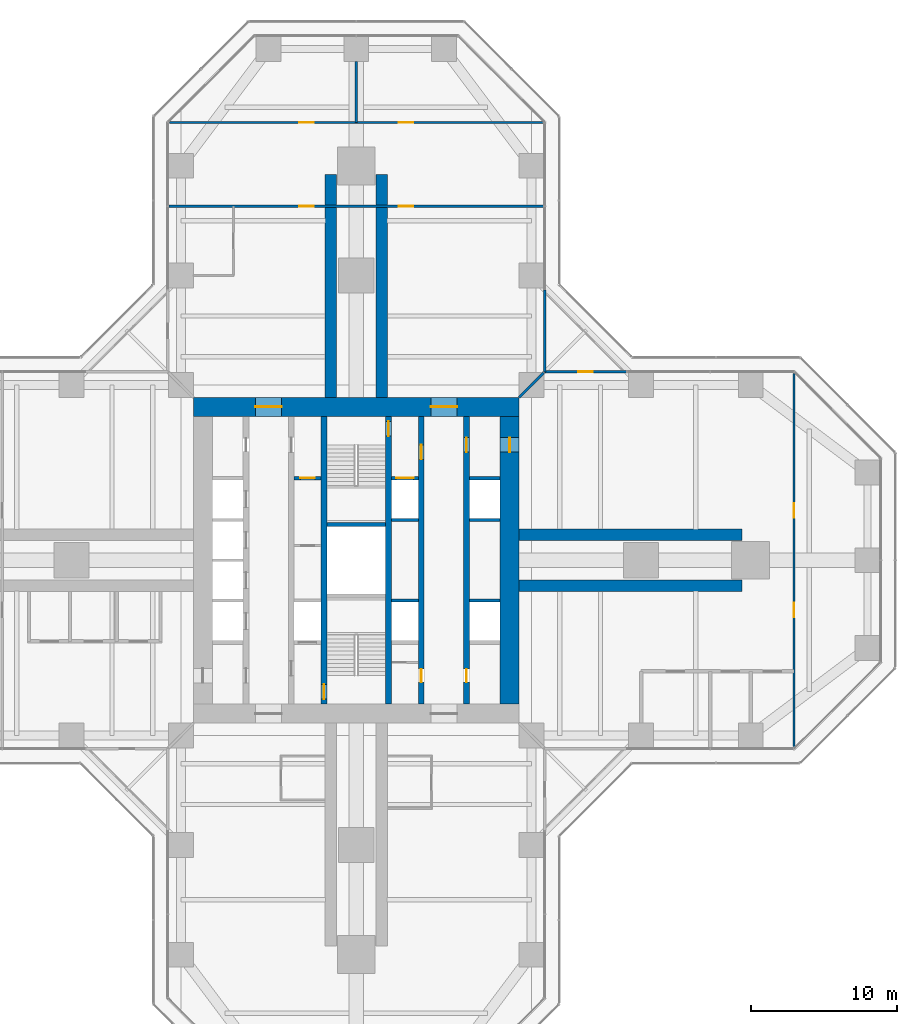
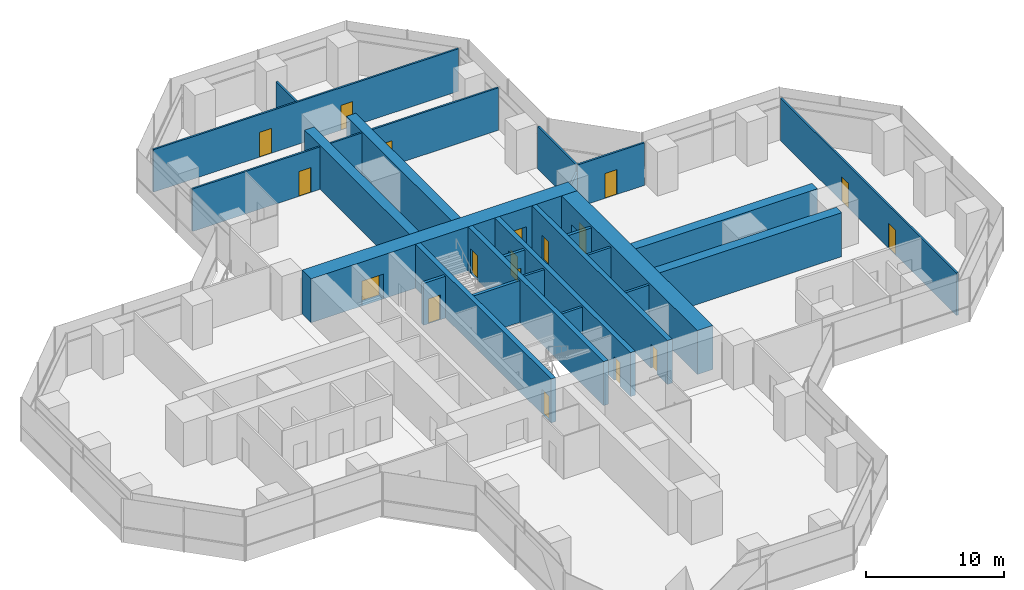
# One storey, part 19 of 22: 25 walls, 18 doors, 18 openings.
"""IFC4 building model written with IfcOpenShell, lengths in metres."""

from ifc_helpers import new_model, si_unit, direction, frame, frame_2d, origin, place, context, subcontext, project, spatial, rectangle, extrude, material, layer, layer_set, type_object, element, fill, save


model = new_model("IFC4")

# Units and contexts
model_context = context("Model", 3, precision=1e-05, world=origin(), true_north=direction((0.0, 1.0)))
body_context = subcontext(model_context, "Body", "Model", "MODEL_VIEW")
ifc_project = project(units=[si_unit("LENGTHUNIT", "METRE"), si_unit("AREAUNIT", "SQUARE_METRE"), si_unit("VOLUMEUNIT", "CUBIC_METRE"), si_unit("PLANEANGLEUNIT", "RADIAN"), si_unit("MASSUNIT", "GRAM", prefix="KILO")], contexts=[model_context])

# Site, building, storey
site_placement = place(None, origin())
site = spatial("IfcSite", under=ifc_project, at=site_placement, CompositionType="ELEMENT")
building_placement = place(site_placement, origin())
building = spatial("IfcBuilding", under=site, at=building_placement, Name="Mizan Broadcast Tower", CompositionType="ELEMENT")
storey_placement = place(building_placement, frame((0.0, 0.0, 43.5)))
storey = spatial("IfcBuildingStorey", under=building, at=storey_placement, Name="L07", CompositionType="ELEMENT", Elevation=43.5)

# Wall, openings, doors
ifc_material_1 = material(Name="Concrete C70/85", Category="concrete")
ifc_layer_1 = layer(ifc_material_1, 0.39990234375)
ifc_layer_set_1 = layer_set([ifc_layer_1], Name="Concrete C70/85")
wall_type_1 = type_object("IfcWallType", Name="CORE INTERNAL WALL 400", PredefinedType="SHEAR", material=ifc_layer_set_1)
wall_1_placement = place(storey_placement, frame((7.550048828125, 9.85009765625, 0.0), z_axis=(0.0, 0.0, 1.0), x_axis=(0.0, -1.0, 0.0)))
wall_1 = element("IfcWall", 1, at=wall_1_placement, inside=storey, type_object=wall_type_1, Name="Core wall CORE/XW1E", PredefinedType="SHEAR", context=body_context, shape_type="SweptSolid", body=[
    extrude(rectangle(XDim=19.7001953125, YDim=0.39990234375, at=frame_2d((9.85009765625, 0.0))), origin(), (0.0, 0.0, 1.0), 3.89990234375),
])
opening_1_placement = place(wall_1_placement, frame((1.449951171875, 0.0, 0.0)))
opening_1 = element("IfcOpeningElement", 2, at=opening_1_placement, cuts=wall_1, Name="Opening D10F", PredefinedType="OPENING", context=body_context, shape_type="SweptSolid", body=[
    extrude(rectangle(XDim=1.0, YDim=2.199951171875, at=frame_2d((0.5, 1.10009765625))), frame((0.0, 0.2099609375, 0.0), z_axis=(0.0, -1.0, 0.0), x_axis=(1.0, 0.0, 0.0)), (0.0, 0.0, 1.0), 0.419921875),
])
opening_2_placement = place(wall_1_placement, frame((17.300048828125, 0.0, 0.0)))
opening_2 = element("IfcOpeningElement", 3, at=opening_2_placement, cuts=wall_1, Name="Opening D09", PredefinedType="OPENING", context=body_context, shape_type="SweptSolid", body=[
    extrude(rectangle(XDim=0.89990234375, YDim=2.10009765625, at=frame_2d((0.449951171875, 1.050048828125))), frame((0.0, 0.2099609375, 0.0), z_axis=(0.0, -1.0, 0.0), x_axis=(1.0, 0.0, 0.0)), (0.0, 0.0, 1.0), 0.419921875),
])
ifc_material_2 = material(Name="Steel door leaf in steel frame", Category="steel")
door_type_1 = type_object("IfcDoorType", Name="FIRE DOOR 1000 FD90", OperationType="SINGLE_SWING_LEFT", PredefinedType="DOOR", material=ifc_material_2)
door_1_placement = place(opening_1_placement, origin())
door_1 = element("IfcDoor", 4, at=door_1_placement, inside=storey, type_object=door_type_1, Name="East core passage door", OperationType="SINGLE_SWING_LEFT", OverallHeight=2.199951171875, OverallWidth=1.0, PredefinedType="DOOR", context=body_context, shape_type="SweptSolid", body=[
    extrude(rectangle(XDim=1.0, YDim=2.199951171875, at=frame_2d((0.5, 1.10009765625))), frame((0.0, 0.02490234375, 0.0), z_axis=(0.0, -1.0, 0.0), x_axis=(1.0, 0.0, 0.0)), (0.0, 0.0, 1.0), 0.050048828125),
])
fill(opening_1, door_1)
ifc_material_3 = material(Name="Timber door leaf in aluminium frame", Category="wood")
door_type_2 = type_object("IfcDoorType", Name="TOILET DOOR 900", OperationType="SINGLE_SWING_LEFT", PredefinedType="DOOR", material=ifc_material_3)
door_2_placement = place(opening_2_placement, origin())
door_2 = element("IfcDoor", 5, at=door_2_placement, inside=storey, type_object=door_type_2, Name="Female WC door", OperationType="SINGLE_SWING_RIGHT", OverallHeight=2.10009765625, OverallWidth=0.89990234375, PredefinedType="DOOR", context=body_context, shape_type="SweptSolid", body=[
    extrude(rectangle(XDim=0.89990234375, YDim=2.10009765625, at=frame_2d((0.449951171875, 1.050048828125))), frame((0.0, 0.02490234375, 0.0), z_axis=(0.0, -1.0, 0.0), x_axis=(1.0, 0.0, 0.0)), (0.0, 0.0, 1.0), 0.050048828125),
])
fill(opening_2, door_2)

wall_2_placement = place(storey_placement, frame((4.449951171875, 9.85009765625, 0.0), z_axis=(0.0, 0.0, 1.0), x_axis=(0.0, -1.0, 0.0)))
wall_2 = element("IfcWall", 6, at=wall_2_placement, inside=storey, type_object=wall_type_1, Name="Core wall CORE/XWHE", PredefinedType="SHEAR", context=body_context, shape_type="SweptSolid", body=[
    extrude(rectangle(XDim=19.7001953125, YDim=0.39990234375, at=frame_2d((9.85009765625, 0.0))), origin(), (0.0, 0.0, 1.0), 3.89990234375),
])
opening_3_placement = place(wall_2_placement, frame((1.949951171875, 0.0, 0.0)))
opening_3 = element("IfcOpeningElement", 7, at=opening_3_placement, cuts=wall_2, Name="Opening D10F", PredefinedType="OPENING", context=body_context, shape_type="SweptSolid", body=[
    extrude(rectangle(XDim=1.0, YDim=2.199951171875, at=frame_2d((0.5, 1.10009765625))), frame((0.0, 0.2099609375, 0.0), z_axis=(0.0, -1.0, 0.0), x_axis=(1.0, 0.0, 0.0)), (0.0, 0.0, 1.0), 0.419921875),
])
opening_4_placement = place(wall_2_placement, frame((17.300048828125, 0.0, 0.0)))
opening_4 = element("IfcOpeningElement", 8, at=opening_4_placement, cuts=wall_2, Name="Opening D09", PredefinedType="OPENING", context=body_context, shape_type="SweptSolid", body=[
    extrude(rectangle(XDim=0.89990234375, YDim=2.10009765625, at=frame_2d((0.449951171875, 1.050048828125))), frame((0.0, 0.2099609375, 0.0), z_axis=(0.0, -1.0, 0.0), x_axis=(1.0, 0.0, 0.0)), (0.0, 0.0, 1.0), 0.419921875),
])
door_3_placement = place(opening_3_placement, origin())
door_3 = element("IfcDoor", 9, at=door_3_placement, inside=storey, type_object=door_type_1, Name="Firefighting lobby B door", OperationType="SINGLE_SWING_LEFT", OverallHeight=2.199951171875, OverallWidth=1.0, PredefinedType="DOOR", context=body_context, shape_type="SweptSolid", body=[
    extrude(rectangle(XDim=1.0, YDim=2.199951171875, at=frame_2d((0.5, 1.10009765625))), frame((0.0, 0.02490234375, 0.0), z_axis=(0.0, -1.0, 0.0), x_axis=(1.0, 0.0, 0.0)), (0.0, 0.0, 1.0), 0.050048828125),
])
fill(opening_3, door_3)
door_4_placement = place(opening_4_placement, origin())
door_4 = element("IfcDoor", 10, at=door_4_placement, inside=storey, type_object=door_type_2, Name="Cleaner's store door", OperationType="SINGLE_SWING_RIGHT", OverallHeight=2.10009765625, OverallWidth=0.89990234375, PredefinedType="DOOR", context=body_context, shape_type="SweptSolid", body=[
    extrude(rectangle(XDim=0.89990234375, YDim=2.10009765625, at=frame_2d((0.449951171875, 1.050048828125))), frame((0.0, 0.02490234375, 0.0), z_axis=(0.0, -1.0, 0.0), x_axis=(1.0, 0.0, 0.0)), (0.0, 0.0, 1.0), 0.050048828125),
])
fill(opening_4, door_4)

# Wall, opening, door
wall_3_placement = place(storey_placement, frame((-2.199951171875, -9.85009765625, 0.0), z_axis=(0.0, 0.0, 1.0), x_axis=(0.0, 1.0, 0.0)))
wall_3 = element("IfcWall", 11, at=wall_3_placement, inside=storey, type_object=wall_type_1, Name="Core wall CORE/XW2", PredefinedType="SHEAR", context=body_context, shape_type="SweptSolid", body=[
    extrude(rectangle(XDim=19.7001953125, YDim=0.39990234375, at=frame_2d((9.85009765625, 0.0))), origin(), (0.0, 0.0, 1.0), 3.89990234375),
])
opening_5_placement = place(wall_3_placement, frame((0.35009765625, 0.0, 0.0)))
opening_5 = element("IfcOpeningElement", 12, at=opening_5_placement, cuts=wall_3, Name="Opening D10S", PredefinedType="OPENING", context=body_context, shape_type="SweptSolid", body=[
    extrude(rectangle(XDim=1.0, YDim=2.199951171875, at=frame_2d((0.5, 1.10009765625))), frame((0.0, 0.2099609375, 0.0), z_axis=(0.0, -1.0, 0.0), x_axis=(1.0, 0.0, 0.0)), (0.0, 0.0, 1.0), 0.419921875),
])
ifc_material_4 = material(Name="Steel door leaf in steel frame", Category="steel")
door_type_3 = type_object("IfcDoorType", Name="STAIR DOOR 1000 FD90S", OperationType="SINGLE_SWING_RIGHT", PredefinedType="DOOR", material=ifc_material_4)
door_5_placement = place(opening_5_placement, origin())
door_5 = element("IfcDoor", 13, at=door_5_placement, inside=storey, type_object=door_type_3, Name="Stair A door", OperationType="SINGLE_SWING_RIGHT", OverallHeight=2.199951171875, OverallWidth=1.0, PredefinedType="DOOR", context=body_context, shape_type="SweptSolid", body=[
    extrude(rectangle(XDim=1.0, YDim=2.199951171875, at=frame_2d((0.5, 1.10009765625))), frame((0.0, 0.02490234375, 0.0), z_axis=(0.0, -1.0, 0.0), x_axis=(1.0, 0.0, 0.0)), (0.0, 0.0, 1.0), 0.050048828125),
])
fill(opening_5, door_5)

wall_4_placement = place(storey_placement, frame((2.199951171875, 9.85009765625, 0.0), z_axis=(0.0, 0.0, 1.0), x_axis=(0.0, -1.0, 0.0)))
wall_4 = element("IfcWall", 14, at=wall_4_placement, inside=storey, type_object=wall_type_1, Name="Core wall CORE/XW2E", PredefinedType="SHEAR", context=body_context, shape_type="SweptSolid", body=[
    extrude(rectangle(XDim=19.7001953125, YDim=0.39990234375, at=frame_2d((9.85009765625, 0.0))), origin(), (0.0, 0.0, 1.0), 3.89990234375),
])
opening_6_placement = place(wall_4_placement, frame((0.35009765625, 0.0, 0.0)))
opening_6 = element("IfcOpeningElement", 15, at=opening_6_placement, cuts=wall_4, Name="Opening D10S", PredefinedType="OPENING", context=body_context, shape_type="SweptSolid", body=[
    extrude(rectangle(XDim=1.0, YDim=2.199951171875, at=frame_2d((0.5, 1.10009765625))), frame((0.0, 0.2099609375, 0.0), z_axis=(0.0, -1.0, 0.0), x_axis=(1.0, 0.0, 0.0)), (0.0, 0.0, 1.0), 0.419921875),
])
door_6_placement = place(opening_6_placement, origin())
door_6 = element("IfcDoor", 16, at=door_6_placement, inside=storey, type_object=door_type_3, Name="Stair B door", OperationType="SINGLE_SWING_RIGHT", OverallHeight=2.199951171875, OverallWidth=1.0, PredefinedType="DOOR", context=body_context, shape_type="SweptSolid", body=[
    extrude(rectangle(XDim=1.0, YDim=2.199951171875, at=frame_2d((0.5, 1.10009765625))), frame((0.0, 0.02490234375, 0.0), z_axis=(0.0, -1.0, 0.0), x_axis=(1.0, 0.0, 0.0)), (0.0, 0.0, 1.0), 0.050048828125),
])
fill(opening_6, door_6)

# Wall, openings, doors
ifc_material_5 = material(Name="Concrete C70/85", Category="concrete")
ifc_layer_2 = layer(ifc_material_5, 1.300048828125)
ifc_layer_set_2 = layer_set([ifc_layer_2], Name="Concrete C70/85")
wall_type_2 = type_object("IfcWallType", Name="CORE WALL 1300", PredefinedType="SHEAR", material=ifc_layer_set_2)
wall_5_placement = place(storey_placement, frame((-11.14990234375, 10.5, 0.0), z_axis=(0.0, 0.0, 1.0), x_axis=(1.0, 0.0, 0.0)))
wall_5 = element("IfcWall", 17, at=wall_5_placement, inside=storey, type_object=wall_type_2, Name="Core wall N L07", PredefinedType="SHEAR", context=body_context, shape_type="SweptSolid", body=[
    extrude(rectangle(XDim=22.2998046875, YDim=1.300048828125, at=frame_2d((11.14990234375, 0.0))), origin(), (0.0, 0.0, 1.0), 3.89990234375),
])
opening_7_placement = place(wall_5_placement, frame((4.25, 0.0, 0.0)))
opening_7 = element("IfcOpeningElement", 18, at=opening_7_placement, cuts=wall_5, Name="Opening D18F", PredefinedType="OPENING", context=body_context, shape_type="SweptSolid", body=[
    extrude(rectangle(XDim=1.800048828125, YDim=2.199951171875, at=frame_2d((0.89990234375, 1.10009765625))), frame((0.0, 0.659912109375, 0.0), z_axis=(0.0, -1.0, 0.0), x_axis=(1.0, 0.0, 0.0)), (0.0, 0.0, 1.0), 1.320068359375),
])
opening_8_placement = place(wall_5_placement, frame((16.25, 0.0, 0.0)))
opening_8 = element("IfcOpeningElement", 19, at=opening_8_placement, cuts=wall_5, Name="Opening D18F", PredefinedType="OPENING", context=body_context, shape_type="SweptSolid", body=[
    extrude(rectangle(XDim=1.800048828125, YDim=2.199951171875, at=frame_2d((0.89990234375, 1.10009765625))), frame((0.0, 0.659912109375, 0.0), z_axis=(0.0, -1.0, 0.0), x_axis=(1.0, 0.0, 0.0)), (0.0, 0.0, 1.0), 1.320068359375),
])
ifc_material_6 = material(Name="Steel door leaf in steel frame", Category="steel")
door_type_4 = type_object("IfcDoorType", Name="LOBBY DOUBLE DOOR 1800 FD90", OperationType="DOUBLE_DOOR_DOUBLE_SWING", PredefinedType="DOOR", material=ifc_material_6)
door_7_placement = place(opening_7_placement, origin())
door_7 = element("IfcDoor", 20, at=door_7_placement, inside=storey, type_object=door_type_4, Name="West lift lobby north door", OperationType="DOUBLE_DOOR_DOUBLE_SWING", OverallHeight=2.199951171875, OverallWidth=1.800048828125, PredefinedType="DOOR", context=body_context, shape_type="SweptSolid", body=[
    extrude(rectangle(XDim=1.800048828125, YDim=2.199951171875, at=frame_2d((0.89990234375, 1.10009765625))), frame((0.0, 0.02490234375, 0.0), z_axis=(0.0, -1.0, 0.0), x_axis=(1.0, 0.0, 0.0)), (0.0, 0.0, 1.0), 0.050048828125),
])
fill(opening_7, door_7)
door_8_placement = place(opening_8_placement, origin())
door_8 = element("IfcDoor", 21, at=door_8_placement, inside=storey, type_object=door_type_4, Name="East lift lobby north door", OperationType="DOUBLE_DOOR_DOUBLE_SWING", OverallHeight=2.199951171875, OverallWidth=1.800048828125, PredefinedType="DOOR", context=body_context, shape_type="SweptSolid", body=[
    extrude(rectangle(XDim=1.800048828125, YDim=2.199951171875, at=frame_2d((0.89990234375, 1.10009765625))), frame((0.0, 0.02490234375, 0.0), z_axis=(0.0, -1.0, 0.0), x_axis=(1.0, 0.0, 0.0)), (0.0, 0.0, 1.0), 0.050048828125),
])
fill(opening_8, door_8)

# Wall, opening, door
wall_6_placement = place(storey_placement, frame((10.5, -9.85009765625, 0.0), z_axis=(0.0, 0.0, 1.0), x_axis=(0.0, 1.0, 0.0)))
wall_6 = element("IfcWall", 22, at=wall_6_placement, inside=storey, type_object=wall_type_2, Name="Core wall E L07", PredefinedType="SHEAR", context=body_context, shape_type="SweptSolid", body=[
    extrude(rectangle(XDim=19.7001953125, YDim=1.300048828125, at=frame_2d((9.85009765625, 0.0))), origin(), (0.0, 0.0, 1.0), 3.89990234375),
])
opening_9_placement = place(wall_6_placement, frame((17.25, 0.0, 0.0)))
opening_9 = element("IfcOpeningElement", 23, at=opening_9_placement, cuts=wall_6, Name="Opening D10F", PredefinedType="OPENING", context=body_context, shape_type="SweptSolid", body=[
    extrude(rectangle(XDim=1.0, YDim=2.199951171875, at=frame_2d((0.5, 1.10009765625))), frame((0.0, 0.659912109375, 0.0), z_axis=(0.0, -1.0, 0.0), x_axis=(1.0, 0.0, 0.0)), (0.0, 0.0, 1.0), 1.320068359375),
])
door_9_placement = place(opening_9_placement, origin())
door_9 = element("IfcDoor", 24, at=door_9_placement, inside=storey, type_object=door_type_1, Name="East core passage arm door", OperationType="SINGLE_SWING_RIGHT", OverallHeight=2.199951171875, OverallWidth=1.0, PredefinedType="DOOR", context=body_context, shape_type="SweptSolid", body=[
    extrude(rectangle(XDim=1.0, YDim=2.199951171875, at=frame_2d((0.5, 1.10009765625))), frame((0.0, 0.02490234375, 0.0), z_axis=(0.0, -1.0, 0.0), x_axis=(1.0, 0.0, 0.0)), (0.0, 0.0, 1.0), 0.050048828125),
])
fill(opening_9, door_9)

ifc_material_7 = material(Name="Aluminium framed glazed screen", Category="aluminium")
ifc_layer_3 = layer(ifc_material_7, 0.159912109375)
ifc_layer_set_3 = layer_set([ifc_layer_3], Name="Aluminium framed glazed screen")
wall_type_3 = type_object("IfcWallType", Name="GLAZED SCREEN WALL 160", PredefinedType="SOLIDWALL", material=ifc_layer_set_3)
wall_7_placement = place(storey_placement, frame((18.5, 12.89990234375, 0.0), z_axis=(0.0, 0.0, 1.0), x_axis=(-1.0, 0.0, 0.0)))
wall_7 = element("IfcWall", 25, at=wall_7_placement, inside=storey, type_object=wall_type_3, Name="Winter garden screen L07 E", PredefinedType="SOLIDWALL", context=body_context, shape_type="SweptSolid", body=[
    extrude(rectangle(XDim=5.60009765625, YDim=0.159912109375, at=frame_2d((2.800048828125, 0.0))), origin(), (0.0, 0.0, 1.0), 3.77001953125),
])
opening_10_placement = place(wall_7_placement, frame((2.300048828125, 0.0, 0.0)))
opening_10 = element("IfcOpeningElement", 26, at=opening_10_placement, cuts=wall_7, Name="Opening WGD", PredefinedType="OPENING", context=body_context, shape_type="SweptSolid", body=[
    extrude(rectangle(XDim=1.0, YDim=2.199951171875, at=frame_2d((0.5, 1.10009765625))), frame((0.0, 0.08984375, 0.0), z_axis=(0.0, -1.0, 0.0), x_axis=(1.0, 0.0, 0.0)), (0.0, 0.0, 1.0), 0.179931640625),
])
ifc_material_8 = material(Name="Aluminium framed glazed door", Category="aluminium")
door_type_5 = type_object("IfcDoorType", Name="WINTER GARDEN DOOR 1000 GLAZED", OperationType="SINGLE_SWING_LEFT", PredefinedType="DOOR", material=ifc_material_8)
door_10_placement = place(opening_10_placement, origin())
door_10 = element("IfcDoor", 27, at=door_10_placement, inside=storey, type_object=door_type_5, Name="Winter garden door L07 E", OperationType="SINGLE_SWING_RIGHT", OverallHeight=2.199951171875, OverallWidth=1.0, PredefinedType="DOOR", context=body_context, shape_type="SweptSolid", body=[
    extrude(rectangle(XDim=1.0, YDim=2.199951171875, at=frame_2d((0.5, 1.10009765625))), frame((0.0, 0.02490234375, 0.0), z_axis=(0.0, -1.0, 0.0), x_axis=(1.0, 0.0, 0.0)), (0.0, 0.0, 1.0), 0.050048828125),
])
fill(opening_10, door_10)

# Walls
wall_8_placement = place(storey_placement, frame((12.89990234375, 12.89990234375, 0.0), z_axis=(0.0, 0.0, 1.0), x_axis=(0.0, 1.0, 0.0)))
element("IfcWall", 28, at=wall_8_placement, inside=storey, type_object=wall_type_3, Name="Winter garden screen L07 N", PredefinedType="SOLIDWALL", context=body_context, shape_type="SweptSolid", body=[
    extrude(rectangle(XDim=5.60009765625, YDim=0.159912109375, at=frame_2d((2.800048828125, 0.0))), origin(), (0.0, 0.0, 1.0), 3.77001953125),
])
ifc_material_9 = material(Name="Concrete blockwork", Category="masonry")
ifc_layer_4 = layer(ifc_material_9, 0.199951171875)
ifc_layer_set_4 = layer_set([ifc_layer_4], Name="Concrete blockwork")
wall_type_4 = type_object("IfcWallType", Name="LIFT SHAFT WALL 200", PredefinedType="SOLIDWALL", material=ifc_layer_set_4)
wall_9_placement = place(storey_placement, frame((2.39990234375, -2.75, 0.0), z_axis=(0.0, 0.0, 1.0), x_axis=(1.0, 0.0, 0.0)))
element("IfcWall", 29, at=wall_9_placement, inside=storey, type_object=wall_type_4, Name="Lift shaft wall CORE/SE2-1", PredefinedType="SOLIDWALL", context=body_context, shape_type="SweptSolid", body=[
    extrude(rectangle(XDim=1.85009765625, YDim=0.199951171875, at=frame_2d((0.925048828125, 0.0))), origin(), (0.0, 0.0, 1.0), 3.699951171875),
])
wall_10_placement = place(storey_placement, frame((7.75, -2.75, 0.0), z_axis=(0.0, 0.0, 1.0), x_axis=(1.0, 0.0, 0.0)))
element("IfcWall", 30, at=wall_10_placement, inside=storey, type_object=wall_type_4, Name="Lift shaft wall CORE/SE1-1", PredefinedType="SOLIDWALL", context=body_context, shape_type="SweptSolid", body=[
    extrude(rectangle(XDim=2.10009765625, YDim=0.199951171875, at=frame_2d((1.050048828125, 0.0))), origin(), (0.0, 0.0, 1.0), 3.699951171875),
])
wall_11_placement = place(storey_placement, frame((2.39990234375, 2.75, 0.0), z_axis=(0.0, 0.0, 1.0), x_axis=(1.0, 0.0, 0.0)))
element("IfcWall", 31, at=wall_11_placement, inside=storey, type_object=wall_type_4, Name="Lift shaft wall CORE/SE2-3", PredefinedType="SOLIDWALL", context=body_context, shape_type="SweptSolid", body=[
    extrude(rectangle(XDim=1.85009765625, YDim=0.199951171875, at=frame_2d((0.925048828125, 0.0))), origin(), (0.0, 0.0, 1.0), 3.699951171875),
])
wall_12_placement = place(storey_placement, frame((7.75, 2.75, 0.0), z_axis=(0.0, 0.0, 1.0), x_axis=(1.0, 0.0, 0.0)))
element("IfcWall", 32, at=wall_12_placement, inside=storey, type_object=wall_type_4, Name="Lift shaft wall CORE/SE1-3", PredefinedType="SOLIDWALL", context=body_context, shape_type="SweptSolid", body=[
    extrude(rectangle(XDim=2.10009765625, YDim=0.199951171875, at=frame_2d((1.050048828125, 0.0))), origin(), (0.0, 0.0, 1.0), 3.699951171875),
])

# Wall, opening, door
ifc_material_10 = material(Name="Concrete blockwork", Category="masonry")
ifc_layer_5 = layer(ifc_material_10, 0.25)
ifc_layer_set_5 = layer_set([ifc_layer_5], Name="Concrete blockwork")
wall_type_5 = type_object("IfcWallType", Name="LOBBY ENCLOSURE WALL 250", PredefinedType="SOLIDWALL", material=ifc_layer_set_5)
wall_13_placement = place(storey_placement, frame((-4.25, 5.625, 0.0), z_axis=(0.0, 0.0, 1.0), x_axis=(1.0, 0.0, 0.0)))
wall_13 = element("IfcWall", 33, at=wall_13_placement, inside=storey, type_object=wall_type_5, Name="Lobby enclosure wall CORE/BW2N", PredefinedType="SOLIDWALL", context=body_context, shape_type="SweptSolid", body=[
    extrude(rectangle(XDim=1.85009765625, YDim=0.25, at=frame_2d((0.925048828125, 0.0))), origin(), (0.0, 0.0, 1.0), 3.699951171875),
])
opening_11_placement = place(wall_13_placement, frame((0.425048828125, 0.0, 0.0)))
opening_11 = element("IfcOpeningElement", 34, at=opening_11_placement, cuts=wall_13, Name="Opening D10F", PredefinedType="OPENING", context=body_context, shape_type="SweptSolid", body=[
    extrude(rectangle(XDim=1.0, YDim=2.199951171875, at=frame_2d((0.5, 1.10009765625))), frame((0.0, 0.135009765625, 0.0), z_axis=(0.0, -1.0, 0.0), x_axis=(1.0, 0.0, 0.0)), (0.0, 0.0, 1.0), 0.27001953125),
])
door_11_placement = place(opening_11_placement, origin())
door_11 = element("IfcDoor", 35, at=door_11_placement, inside=storey, type_object=door_type_1, Name="Accessible shower room door", OperationType="SINGLE_SWING_RIGHT", OverallHeight=2.199951171875, OverallWidth=1.0, PredefinedType="DOOR", context=body_context, shape_type="SweptSolid", body=[
    extrude(rectangle(XDim=1.0, YDim=2.199951171875, at=frame_2d((0.5, 1.10009765625))), frame((0.0, 0.02490234375, 0.0), z_axis=(0.0, -1.0, 0.0), x_axis=(1.0, 0.0, 0.0)), (0.0, 0.0, 1.0), 0.050048828125),
])
fill(opening_11, door_11)

wall_14_placement = place(storey_placement, frame((2.39990234375, 5.625, 0.0), z_axis=(0.0, 0.0, 1.0), x_axis=(1.0, 0.0, 0.0)))
wall_14 = element("IfcWall", 36, at=wall_14_placement, inside=storey, type_object=wall_type_5, Name="Lobby enclosure wall CORE/BE2N", PredefinedType="SOLIDWALL", context=body_context, shape_type="SweptSolid", body=[
    extrude(rectangle(XDim=1.85009765625, YDim=0.25, at=frame_2d((0.925048828125, 0.0))), origin(), (0.0, 0.0, 1.0), 3.699951171875),
])
opening_12_placement = place(wall_14_placement, frame((0.324951171875, 0.0, 0.0)))
opening_12 = element("IfcOpeningElement", 37, at=opening_12_placement, cuts=wall_14, Name="Opening LDF", PredefinedType="OPENING", context=body_context, shape_type="SweptSolid", body=[
    extrude(rectangle(XDim=1.199951171875, YDim=2.199951171875, at=frame_2d((0.60009765625, 1.10009765625))), frame((0.0, 0.135009765625, 0.0), z_axis=(0.0, -1.0, 0.0), x_axis=(1.0, 0.0, 0.0)), (0.0, 0.0, 1.0), 0.27001953125),
])
ifc_material_11 = material(Name="Steel door leaf in steel frame", Category="steel")
door_type_6 = type_object("IfcDoorType", Name="FIREFIGHTING LIFT LANDING DOOR 1200", OperationType="SLIDING_TO_LEFT", PredefinedType="DOOR", material=ifc_material_11)
door_12_placement = place(opening_12_placement, origin())
door_12 = element("IfcDoor", 38, at=door_12_placement, inside=storey, type_object=door_type_6, Name="Landing door FF2", OperationType="SLIDING_TO_LEFT", OverallHeight=2.199951171875, OverallWidth=1.199951171875, PredefinedType="DOOR", context=body_context, shape_type="SweptSolid", body=[
    extrude(rectangle(XDim=1.199951171875, YDim=2.199951171875, at=frame_2d((0.60009765625, 1.10009765625))), frame((0.0, 0.02490234375, 0.0), z_axis=(0.0, -1.0, 0.0), x_axis=(1.0, 0.0, 0.0)), (0.0, 0.0, 1.0), 0.050048828125),
])
fill(opening_12, door_12)

# Walls
wall_15_placement = place(storey_placement, frame((7.75, 5.625, 0.0), z_axis=(0.0, 0.0, 1.0), x_axis=(1.0, 0.0, 0.0)))
element("IfcWall", 39, at=wall_15_placement, inside=storey, type_object=wall_type_5, Name="Lobby enclosure wall CORE/BE1N", PredefinedType="SOLIDWALL", context=body_context, shape_type="SweptSolid", body=[
    extrude(rectangle(XDim=2.10009765625, YDim=0.25, at=frame_2d((1.050048828125, 0.0))), origin(), (0.0, 0.0, 1.0), 3.699951171875),
])
wall_16_placement = place(storey_placement, frame((-2.0, 2.449951171875, 0.0), z_axis=(0.0, 0.0, 1.0), x_axis=(1.0, 0.0, 0.0)))
element("IfcWall", 40, at=wall_16_placement, inside=storey, type_object=wall_type_5, Name="Lobby enclosure wall CORE/STB", PredefinedType="SOLIDWALL", context=body_context, shape_type="SweptSolid", body=[
    extrude(rectangle(XDim=4.0, YDim=0.25, at=frame_2d((2.0, 0.0))), origin(), (0.0, 0.0, 1.0), 3.699951171875),
])

# Wall, openings, doors
ifc_material_12 = material(Name="Gypsum board on steel studs", Category="steel")
ifc_layer_6 = layer(ifc_material_12, 0.14990234375)
ifc_layer_set_6 = layer_set([ifc_layer_6], Name="Gypsum board on steel studs")
wall_type_6 = type_object("IfcWallType", Name="PARTITION 150", PredefinedType="PARTITIONING", material=ifc_layer_set_6)
wall_17_placement = place(storey_placement, frame((29.958984375, -12.786376953125, 0.0), z_axis=(0.0, 0.0, 1.0), x_axis=(0.0, 1.0, 0.0)))
wall_17 = element("IfcWall", 41, at=wall_17_placement, inside=storey, type_object=wall_type_6, Name="Partition PT/EX1", PredefinedType="PARTITIONING", context=body_context, shape_type="SweptSolid", body=[
    extrude(rectangle(XDim=25.57275390625, YDim=0.14990234375, at=frame_2d((12.786376953125, 0.0))), origin(), (0.0, 0.0, 1.0), 3.77001953125),
])
opening_13_placement = place(wall_17_placement, frame((15.6865234375, 0.0, 0.0)))
opening_13 = element("IfcOpeningElement", 42, at=opening_13_placement, cuts=wall_17, Name="Opening D10", PredefinedType="OPENING", context=body_context, shape_type="SweptSolid", body=[
    extrude(rectangle(XDim=1.0, YDim=2.199951171875, at=frame_2d((0.5, 1.10009765625))), frame((0.0, 0.0849609375, 0.0), z_axis=(0.0, -1.0, 0.0), x_axis=(1.0, 0.0, 0.0)), (0.0, 0.0, 1.0), 0.169921875),
])
opening_14_placement = place(wall_17_placement, frame((8.886474609375, 0.0, 0.0)))
opening_14 = element("IfcOpeningElement", 43, at=opening_14_placement, cuts=wall_17, Name="Opening D10", PredefinedType="OPENING", context=body_context, shape_type="SweptSolid", body=[
    extrude(rectangle(XDim=1.0, YDim=2.199951171875, at=frame_2d((0.5, 1.10009765625))), frame((0.0, 0.0849609375, 0.0), z_axis=(0.0, -1.0, 0.0), x_axis=(1.0, 0.0, 0.0)), (0.0, 0.0, 1.0), 0.169921875),
])
ifc_material_13 = material(Name="Timber door leaf in aluminium frame", Category="wood")
door_type_7 = type_object("IfcDoorType", Name="ROOM DOOR 1000", OperationType="SINGLE_SWING_LEFT", PredefinedType="DOOR", material=ifc_material_13)
door_13_placement = place(opening_13_placement, origin())
door_13 = element("IfcDoor", 44, at=door_13_placement, inside=storey, type_object=door_type_7, Name="News planning room door", OperationType="SINGLE_SWING_RIGHT", OverallHeight=2.199951171875, OverallWidth=1.0, PredefinedType="DOOR", context=body_context, shape_type="SweptSolid", body=[
    extrude(rectangle(XDim=1.0, YDim=2.199951171875, at=frame_2d((0.5, 1.10009765625))), frame((0.0, 0.02490234375, 0.0), z_axis=(0.0, -1.0, 0.0), x_axis=(1.0, 0.0, 0.0)), (0.0, 0.0, 1.0), 0.050048828125),
])
fill(opening_13, door_13)
door_14_placement = place(opening_14_placement, origin())
door_14 = element("IfcDoor", 45, at=door_14_placement, inside=storey, type_object=door_type_7, Name="News planning room door", OperationType="SINGLE_SWING_LEFT", OverallHeight=2.199951171875, OverallWidth=1.0, PredefinedType="DOOR", context=body_context, shape_type="SweptSolid", body=[
    extrude(rectangle(XDim=1.0, YDim=2.199951171875, at=frame_2d((0.5, 1.10009765625))), frame((0.0, 0.02490234375, 0.0), z_axis=(0.0, -1.0, 0.0), x_axis=(1.0, 0.0, 0.0)), (0.0, 0.0, 1.0), 0.050048828125),
])
fill(opening_14, door_14)

wall_18_placement = place(storey_placement, frame((12.820068359375, 24.22900390625, 0.0), z_axis=(0.0, 0.0, 1.0), x_axis=(-1.0, 0.0, 0.0)))
wall_18 = element("IfcWall", 46, at=wall_18_placement, inside=storey, type_object=wall_type_6, Name="Partition PT/NX1", PredefinedType="PARTITIONING", context=body_context, shape_type="SweptSolid", body=[
    extrude(rectangle(XDim=25.64013671875, YDim=0.14990234375, at=frame_2d((12.820068359375, 0.0))), origin(), (0.0, 0.0, 1.0), 3.77001953125),
])
opening_15_placement = place(wall_18_placement, frame((15.719970703125, 0.0, 0.0)))
opening_15 = element("IfcOpeningElement", 47, at=opening_15_placement, cuts=wall_18, Name="Opening D10", PredefinedType="OPENING", context=body_context, shape_type="SweptSolid", body=[
    extrude(rectangle(XDim=1.0, YDim=2.199951171875, at=frame_2d((0.5, 1.10009765625))), frame((0.0, 0.0849609375, 0.0), z_axis=(0.0, -1.0, 0.0), x_axis=(1.0, 0.0, 0.0)), (0.0, 0.0, 1.0), 0.169921875),
])
opening_16_placement = place(wall_18_placement, frame((8.919921875, 0.0, 0.0)))
opening_16 = element("IfcOpeningElement", 48, at=opening_16_placement, cuts=wall_18, Name="Opening D10", PredefinedType="OPENING", context=body_context, shape_type="SweptSolid", body=[
    extrude(rectangle(XDim=1.0, YDim=2.199951171875, at=frame_2d((0.5, 1.10009765625))), frame((0.0, 0.0849609375, 0.0), z_axis=(0.0, -1.0, 0.0), x_axis=(1.0, 0.0, 0.0)), (0.0, 0.0, 1.0), 0.169921875),
])
door_15_placement = place(opening_15_placement, origin())
door_15 = element("IfcDoor", 49, at=door_15_placement, inside=storey, type_object=door_type_7, Name="Open office door", OperationType="SINGLE_SWING_RIGHT", OverallHeight=2.199951171875, OverallWidth=1.0, PredefinedType="DOOR", context=body_context, shape_type="SweptSolid", body=[
    extrude(rectangle(XDim=1.0, YDim=2.199951171875, at=frame_2d((0.5, 1.10009765625))), frame((0.0, 0.02490234375, 0.0), z_axis=(0.0, -1.0, 0.0), x_axis=(1.0, 0.0, 0.0)), (0.0, 0.0, 1.0), 0.050048828125),
])
fill(opening_15, door_15)
door_16_placement = place(opening_16_placement, origin())
door_16 = element("IfcDoor", 50, at=door_16_placement, inside=storey, type_object=door_type_7, Name="Open office door", OperationType="SINGLE_SWING_LEFT", OverallHeight=2.199951171875, OverallWidth=1.0, PredefinedType="DOOR", context=body_context, shape_type="SweptSolid", body=[
    extrude(rectangle(XDim=1.0, YDim=2.199951171875, at=frame_2d((0.5, 1.10009765625))), frame((0.0, 0.02490234375, 0.0), z_axis=(0.0, -1.0, 0.0), x_axis=(1.0, 0.0, 0.0)), (0.0, 0.0, 1.0), 0.050048828125),
])
fill(opening_16, door_16)

wall_19_placement = place(storey_placement, frame((12.786376953125, 29.958984375, 0.0), z_axis=(0.0, 0.0, 1.0), x_axis=(-1.0, 0.0, 0.0)))
wall_19 = element("IfcWall", 51, at=wall_19_placement, inside=storey, type_object=wall_type_6, Name="Partition PT/NX2", PredefinedType="PARTITIONING", context=body_context, shape_type="SweptSolid", body=[
    extrude(rectangle(XDim=25.57275390625, YDim=0.14990234375, at=frame_2d((12.786376953125, 0.0))), origin(), (0.0, 0.0, 1.0), 3.77001953125),
])
opening_17_placement = place(wall_19_placement, frame((15.6865234375, 0.0, 0.0)))
opening_17 = element("IfcOpeningElement", 52, at=opening_17_placement, cuts=wall_19, Name="Opening D10", PredefinedType="OPENING", context=body_context, shape_type="SweptSolid", body=[
    extrude(rectangle(XDim=1.0, YDim=2.199951171875, at=frame_2d((0.5, 1.10009765625))), frame((0.0, 0.0849609375, 0.0), z_axis=(0.0, -1.0, 0.0), x_axis=(1.0, 0.0, 0.0)), (0.0, 0.0, 1.0), 0.169921875),
])
opening_18_placement = place(wall_19_placement, frame((8.886474609375, 0.0, 0.0)))
opening_18 = element("IfcOpeningElement", 53, at=opening_18_placement, cuts=wall_19, Name="Opening D10", PredefinedType="OPENING", context=body_context, shape_type="SweptSolid", body=[
    extrude(rectangle(XDim=1.0, YDim=2.199951171875, at=frame_2d((0.5, 1.10009765625))), frame((0.0, 0.0849609375, 0.0), z_axis=(0.0, -1.0, 0.0), x_axis=(1.0, 0.0, 0.0)), (0.0, 0.0, 1.0), 0.169921875),
])
door_17_placement = place(opening_17_placement, origin())
door_17 = element("IfcDoor", 54, at=door_17_placement, inside=storey, type_object=door_type_7, Name="Open office door", OperationType="SINGLE_SWING_RIGHT", OverallHeight=2.199951171875, OverallWidth=1.0, PredefinedType="DOOR", context=body_context, shape_type="SweptSolid", body=[
    extrude(rectangle(XDim=1.0, YDim=2.199951171875, at=frame_2d((0.5, 1.10009765625))), frame((0.0, 0.02490234375, 0.0), z_axis=(0.0, -1.0, 0.0), x_axis=(1.0, 0.0, 0.0)), (0.0, 0.0, 1.0), 0.050048828125),
])
fill(opening_17, door_17)
door_18_placement = place(opening_18_placement, origin())
door_18 = element("IfcDoor", 55, at=door_18_placement, inside=storey, type_object=door_type_7, Name="Open office door", OperationType="SINGLE_SWING_LEFT", OverallHeight=2.199951171875, OverallWidth=1.0, PredefinedType="DOOR", context=body_context, shape_type="SweptSolid", body=[
    extrude(rectangle(XDim=1.0, YDim=2.199951171875, at=frame_2d((0.5, 1.10009765625))), frame((0.0, 0.02490234375, 0.0), z_axis=(0.0, -1.0, 0.0), x_axis=(1.0, 0.0, 0.0)), (0.0, 0.0, 1.0), 0.050048828125),
])
fill(opening_18, door_18)

# Walls
wall_20_placement = place(storey_placement, frame((0.0, 29.958984375, 0.0), z_axis=(0.0, 0.0, 1.0), x_axis=(0.0, 1.0, 0.0)))
element("IfcWall", 56, at=wall_20_placement, inside=storey, type_object=wall_type_6, Name="Partition PT/NES", PredefinedType="PARTITIONING", context=body_context, shape_type="SweptSolid", body=[
    extrude(rectangle(XDim=4.19091796875, YDim=0.14990234375, at=frame_2d((2.095458984375, 0.0))), origin(), (0.0, 0.0, 1.0), 2.77001953125),
])
wall_21_placement = place(storey_placement, frame((11.14990234375, 11.14990234375, 0.0), z_axis=(0.0, 0.0, 1.0), x_axis=(0.707106781187, 0.707106781187, 0.0)))
element("IfcWall", 57, at=wall_21_placement, inside=storey, type_object=wall_type_6, Name="Partition PT/DGEN", PredefinedType="PARTITIONING", context=body_context, shape_type="SweptSolid", body=[
    extrude(rectangle(XDim=2.362060546875, YDim=0.14990234375, at=frame_2d((1.18115234375, 0.0))), origin(), (0.0, 0.0, 1.0), 3.219970703125),
])
ifc_material_14 = material(Name="Concrete C70/85", Category="concrete")
ifc_layer_7 = layer(ifc_material_14, 0.800048828125)
ifc_layer_set_7 = layer_set([ifc_layer_7], Name="Concrete C70/85")
wall_type_7 = type_object("IfcWallType", Name="SPINE WALL 800", PredefinedType="SHEAR", material=ifc_layer_set_7)
for number, where, z_axis, x_axis, name in (
    (58, (11.14990234375, -1.75, 0.0), (0.0, 0.0, 1.0), (1.0, 0.0, 0.0), "Spine wall ER L07"),
    (59, (11.14990234375, 1.75, 0.0), (0.0, 0.0, 1.0), (1.0, 0.0, 0.0), "Spine wall EL L07"),
    (60, (1.75, 11.14990234375, 0.0), (0.0, 0.0, 1.0), (0.0, 1.0, 0.0), "Spine wall NR L07"),
    (61, (-1.75, 11.14990234375, 0.0), (0.0, 0.0, 1.0), (0.0, 1.0, 0.0), "Spine wall NL L07"),
):
    element("IfcWall", number, at=place(storey_placement, frame(where, z_axis=z_axis, x_axis=x_axis)), inside=storey, type_object=wall_type_7, Name=name, PredefinedType="SHEAR", context=body_context, shape_type="SweptSolid", body=[
        extrude(rectangle(XDim=15.25, YDim=0.800048828125, at=frame_2d((7.625, 0.0))), origin(), (0.0, 0.0, 1.0), 3.89990234375),
    ])

save(model, "model.ifc")
